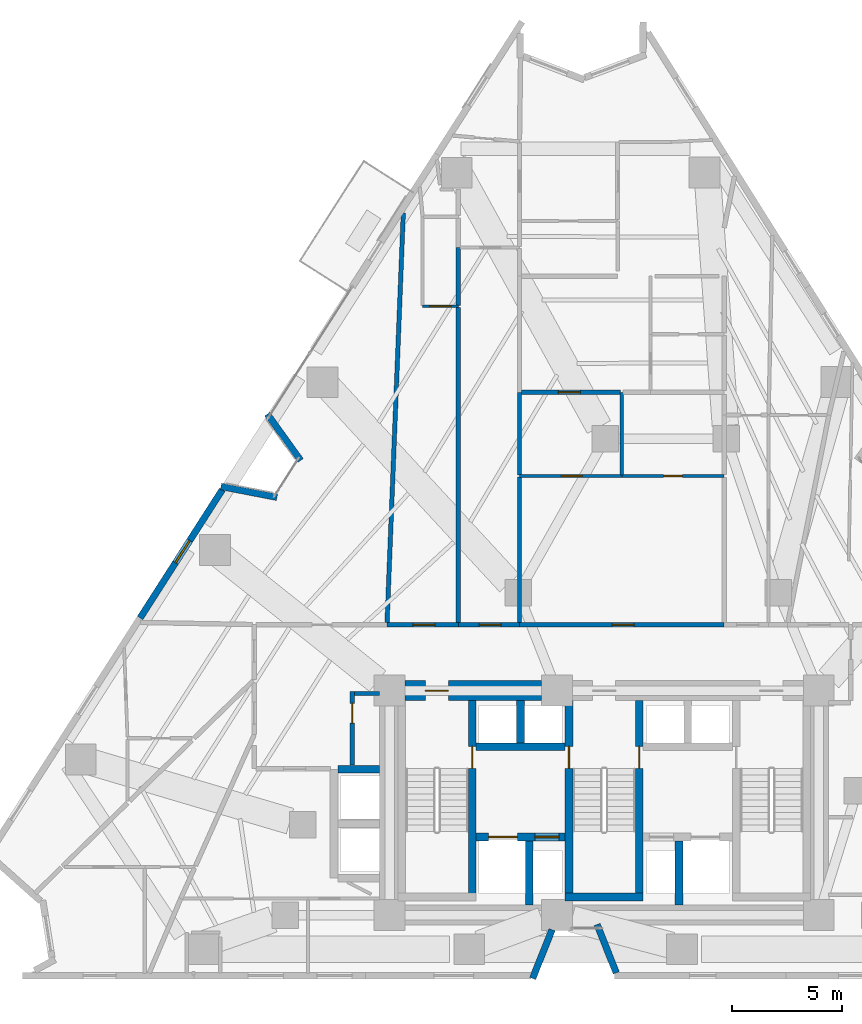
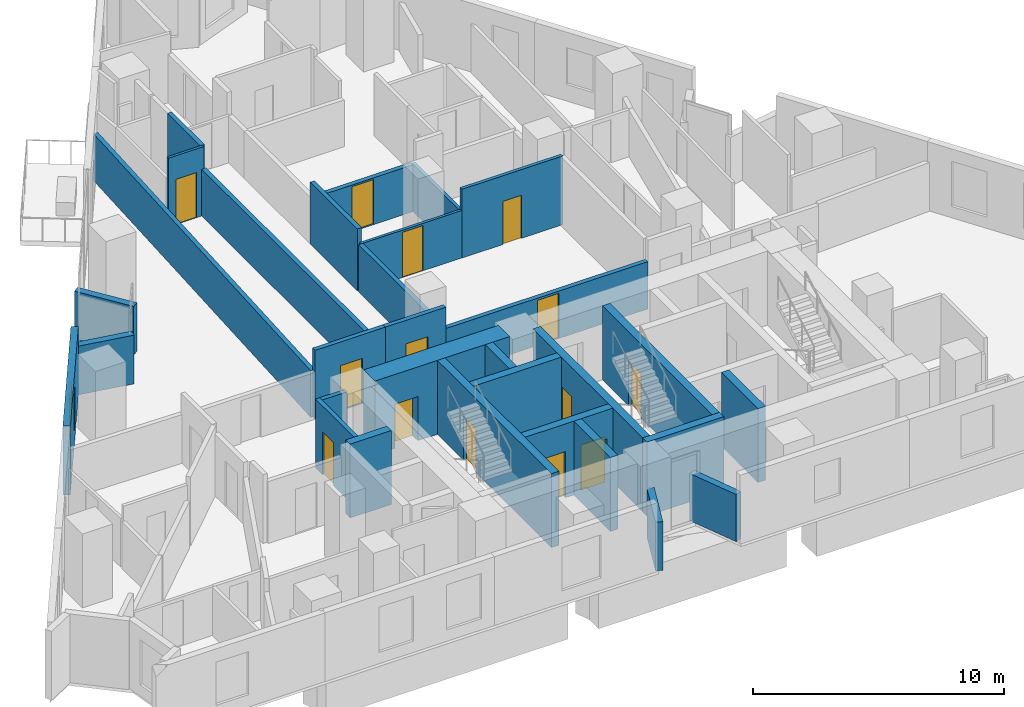
# One storey, part 8 of 13: 31 walls, 14 doors, 1 window, 15 openings.
"""IFC4 building model written with IfcOpenShell, lengths in metres."""

from ifc_helpers import new_model, si_unit, direction, frame, frame_2d, origin, place, context, subcontext, project, spatial, rectangle, extrude, material, layer, layer_set, type_object, element, fill, save


model = new_model("IFC4")

# Units and contexts
model_context = context("Model", 3, precision=1e-05, world=origin(), true_north=direction((0.0, 1.0)))
body_context = subcontext(model_context, "Body", "Model", "MODEL_VIEW")
ifc_project = project(units=[si_unit("LENGTHUNIT", "METRE"), si_unit("AREAUNIT", "SQUARE_METRE"), si_unit("VOLUMEUNIT", "CUBIC_METRE"), si_unit("PLANEANGLEUNIT", "RADIAN"), si_unit("MASSUNIT", "GRAM", prefix="KILO")], contexts=[model_context])

# Site, building, storey
site_placement = place(None, origin())
site = spatial("IfcSite", under=ifc_project, at=site_placement, CompositionType="ELEMENT")
building_placement = place(site_placement, origin())
building = spatial("IfcBuilding", under=site, at=building_placement, Name="Almagre Mirador Tower", CompositionType="ELEMENT")
storey_placement = place(building_placement, frame((0.0, 0.0, 53.39990234375)))
storey = spatial("IfcBuildingStorey", under=building, at=storey_placement, Name="L12", CompositionType="ELEMENT", Elevation=53.39990234375)

# Walls
ifc_material_1 = material(Name="Precast concrete C50/60", Category="concrete")
ifc_layer_1 = layer(ifc_material_1, 0.300048828125)
ifc_layer_set_1 = layer_set([ifc_layer_1], Name="Precast concrete C50/60")
wall_type_1 = type_object("IfcWallType", Name="WAL-EXT-300", PredefinedType="SOLIDWALL", material=ifc_layer_set_1)
wall_1_placement = place(storey_placement, frame((19.8876953125, 24.026611328125, 0.0), z_axis=(0.0, 0.0, 1.0), x_axis=(0.981746971615, -0.190191702567, 0.0)))
element("IfcWall", 1, at=wall_1_placement, inside=storey, type_object=wall_type_1, Name="L12 expressed almagre precast frame wall 01", PredefinedType="SOLIDWALL", context=body_context, shape_type="SweptSolid", body=[
    extrude(rectangle(XDim=2.593017578125, YDim=0.300048828125, at=frame_2d((1.29638671875, 0.0))), origin(), (0.0, 0.0, 1.0), 2.375),
])
wall_2_placement = place(storey_placement, frame((23.505615234375, 25.206298828125, 0.0), z_axis=(0.0, 0.0, 1.0), x_axis=(-0.58299973372, 0.812472344442, 0.0)))
element("IfcWall", 2, at=wall_2_placement, inside=storey, type_object=wall_type_1, Name="L12 expressed almagre precast frame wall 02", PredefinedType="SOLIDWALL", context=body_context, shape_type="SweptSolid", body=[
    extrude(rectangle(XDim=2.59375, YDim=0.300048828125, at=frame_2d((1.296875, 0.0))), origin(), (0.0, 0.0, 1.0), 2.375),
])
wall_3_placement = place(storey_placement, frame((37.85009765625, 1.92529296875, 0.0), z_axis=(0.0, 0.0, 1.0), x_axis=(-0.36946923074, 0.92924296475, 0.0)))
element("IfcWall", 3, at=wall_3_placement, inside=storey, type_object=wall_type_1, Name="L12 expressed almagre precast frame wall 24", PredefinedType="SOLIDWALL", context=body_context, shape_type="SweptSolid", body=[
    extrude(rectangle(XDim=2.366943359375, YDim=0.300048828125, at=frame_2d((1.18359375, 0.0))), origin(), (0.0, 0.0, 1.0), 2.300048828125),
])
wall_4_placement = place(storey_placement, frame((34.930419921875, 3.887939453125, 0.0), z_axis=(0.0, 0.0, 1.0), x_axis=(-0.369538313764, -0.9292154942, 0.0)))
element("IfcWall", 4, at=wall_4_placement, inside=storey, type_object=wall_type_1, Name="L12 expressed almagre precast frame wall 25", PredefinedType="SOLIDWALL", context=body_context, shape_type="SweptSolid", body=[
    extrude(rectangle(XDim=2.386962890625, YDim=0.300048828125, at=frame_2d((1.193359375, 0.0))), origin(), (0.0, 0.0, 1.0), 2.375),
])

# Wall, opening, window
wall_5_placement = place(storey_placement, frame((16.21484375, 18.053955078125, 0.0), z_axis=(0.0, 0.0, 1.0), x_axis=(0.539527015547, 0.841968288889, 0.0)))
wall_5 = element("IfcWall", 5, at=wall_5_placement, inside=storey, type_object=wall_type_1, Name="L12 expressed almagre precast frame wall 35", PredefinedType="SOLIDWALL", context=body_context, shape_type="SweptSolid", body=[
    extrude(rectangle(XDim=6.922119140625, YDim=0.300048828125, at=frame_2d((3.4609375, 0.0))), origin(), (0.0, 0.0, 1.0), 3.35009765625),
])
opening_1_placement = place(wall_5_placement, frame((2.97802734375, 0.0, 0.800048828125)))
opening_1 = element("IfcOpeningElement", 6, at=opening_1_placement, cuts=wall_5, Name="Opening WN-04", PredefinedType="OPENING", context=body_context, shape_type="SweptSolid", body=[
    extrude(rectangle(XDim=1.199951171875, YDim=1.800048828125, at=frame_2d((0.60009765625, 0.89990234375))), frame((0.0, 0.159902, 0.0), z_axis=(0.0, -1.0, 0.0), x_axis=(1.0, 0.0, 0.0)), (0.0, 0.0, 1.0), 0.320049),
])
ifc_material_2 = material(Name="Dark solar-control laminated hurricane glass", Category="glass")
window_type = type_object("IfcWindowType", Name="WIN-1200X1800", PartitioningType="SINGLE_PANEL", PredefinedType="WINDOW", material=ifc_material_2)
window_placement = place(opening_1_placement, origin())
window = element("IfcWindow", 7, at=window_placement, inside=storey, type_object=window_type, Name="L12 recessed hurricane window L12-RST-G", OverallHeight=1.800048828125, OverallWidth=1.199951171875, PartitioningType="SINGLE_PANEL", PredefinedType="WINDOW", context=body_context, shape_type="SweptSolid", body=[
    extrude(rectangle(XDim=1.199951171875, YDim=1.800048828125, at=frame_2d((0.60009765625, 0.89990234375))), frame((0.0, 0.030029296875, 0.0), z_axis=(0.0, -1.0, 0.0), x_axis=(1.0, 0.0, 0.0)), (0.0, 0.0, 1.0), 0.06005859375),
])
fill(opening_1, window)

# Wall, opening, door
ifc_material_3 = material(Name="Gypsum acoustic stud partition", Category="other")
ifc_layer_2 = layer(ifc_material_3, 0.125)
ifc_layer_set_2 = layer_set([ifc_layer_2], Name="Gypsum acoustic stud partition")
wall_type_2 = type_object("IfcWallType", Name="WAL-PRT-125-UTL", PredefinedType="PARTITIONING", material=ifc_layer_set_2)
wall_6_placement = place(storey_placement, frame((38.10009765625, 24.5, 0.0), z_axis=(0.0, 0.0, 1.0), x_axis=(-1.0, 0.0, 0.0)))
wall_6 = element("IfcWall", 8, at=wall_6_placement, inside=storey, type_object=wall_type_2, Name="L12 interior partition 053", PredefinedType="PARTITIONING", context=body_context, shape_type="SweptSolid", body=[
    extrude(rectangle(XDim=4.650146484375, YDim=0.125, at=frame_2d((2.3251953125, 0.0))), origin(), (0.0, 0.0, 1.0), 2.30908203125),
])
opening_2_placement = place(wall_6_placement, frame((1.791015625, 0.0, 0.0)))
opening_2 = element("IfcOpeningElement", 9, at=opening_2_placement, cuts=wall_6, Name="Opening UD-01", PredefinedType="OPENING", context=body_context, shape_type="SweptSolid", body=[
    extrude(rectangle(XDim=0.949951171875, YDim=2.199951171875, at=frame_2d((0.47509765625, 1.10009765625))), frame((0.0, 0.0725, 0.0), z_axis=(0.0, -1.0, 0.0), x_axis=(1.0, 0.0, 0.0)), (0.0, 0.0, 1.0), 0.145),
])
ifc_material_4 = material(Name="Solid American walnut timber", Category="wood")
door_type_1 = type_object("IfcDoorType", Name="DOR-UNR-950X2200", OperationType="NOTDEFINED", PredefinedType="DOOR", material=ifc_material_4)
door_1_placement = place(opening_2_placement, origin())
door_1 = element("IfcDoor", 10, at=door_1_placement, inside=storey, type_object=door_type_1, Name="DR-0393 L12 interior door L12-UH-ST to L12-UH-KT", OperationType="SINGLE_SWING_LEFT", OverallHeight=2.199951171875, OverallWidth=0.949951171875, PredefinedType="DOOR", context=body_context, shape_type="SweptSolid", body=[
    extrude(rectangle(XDim=0.949951171875, YDim=2.199951171875, at=frame_2d((0.47509765625, 1.10009765625))), frame((0.0, 0.02490234375, 0.0), z_axis=(0.0, -1.0, 0.0), x_axis=(1.0, 0.0, 0.0)), (0.0, 0.0, 1.0), 0.050048828125),
])
fill(opening_2, door_1)

wall_7_placement = place(storey_placement, frame((30.669921875, 32.2099609375, 0.0), z_axis=(0.0, 0.0, 1.0), x_axis=(-1.0, 0.0, 0.0)))
wall_7 = element("IfcWall", 11, at=wall_7_placement, inside=storey, type_object=wall_type_2, Name="L12 interior partition 071", PredefinedType="PARTITIONING", context=body_context, shape_type="SweptSolid", body=[
    extrude(rectangle(XDim=1.619873046875, YDim=0.125, at=frame_2d((0.81005859375, 0.0))), origin(), (0.0, 0.0, 1.0), 3.35009765625),
])
opening_3_placement = place(wall_7_placement, frame((0.3349609375, 0.0, 0.0)))
opening_3 = element("IfcOpeningElement", 12, at=opening_3_placement, cuts=wall_7, Name="Opening UD-01", PredefinedType="OPENING", context=body_context, shape_type="SweptSolid", body=[
    extrude(rectangle(XDim=0.949951171875, YDim=2.199951171875, at=frame_2d((0.47509765625, 1.10009765625))), frame((0.0, 0.0725, 0.0), z_axis=(0.0, -1.0, 0.0), x_axis=(1.0, 0.0, 0.0)), (0.0, 0.0, 1.0), 0.145),
])
door_2_placement = place(opening_3_placement, origin())
door_2 = element("IfcDoor", 13, at=door_2_placement, inside=storey, type_object=door_type_1, Name="DR-0398 L12 interior door L12-UK-ST to L12-UK-KT", OperationType="SINGLE_SWING_RIGHT", OverallHeight=2.199951171875, OverallWidth=0.949951171875, PredefinedType="DOOR", context=body_context, shape_type="SweptSolid", body=[
    extrude(rectangle(XDim=0.949951171875, YDim=2.199951171875, at=frame_2d((0.47509765625, 1.10009765625))), frame((0.0, 0.02490234375, 0.0), z_axis=(0.0, -1.0, 0.0), x_axis=(1.0, 0.0, 0.0)), (0.0, 0.0, 1.0), 0.050048828125),
])
fill(opening_3, door_2)

ifc_material_5 = material(Name="Gypsum acoustic stud partition", Category="other")
ifc_layer_3 = layer(ifc_material_5, 0.14990234375)
ifc_layer_set_3 = layer_set([ifc_layer_3], Name="Gypsum acoustic stud partition")
wall_type_3 = type_object("IfcWallType", Name="WAL-PRT-150-STD", PredefinedType="PARTITIONING", material=ifc_layer_set_3)
wall_8_placement = place(storey_placement, frame((42.75, 24.5, 0.0), z_axis=(0.0, 0.0, 1.0), x_axis=(-1.0, 0.0, 0.0)))
wall_8 = element("IfcWall", 14, at=wall_8_placement, inside=storey, type_object=wall_type_3, Name="L12 interior partition 054", PredefinedType="PARTITIONING", context=body_context, shape_type="SweptSolid", body=[
    extrude(rectangle(XDim=4.64990234375, YDim=0.14990234375, at=frame_2d((2.324951171875, 0.0))), origin(), (0.0, 0.0, 1.0), 3.35009765625),
])
opening_4_placement = place(wall_8_placement, frame((1.89990234375, 0.0, 0.0)))
opening_4 = element("IfcOpeningElement", 15, at=opening_4_placement, cuts=wall_8, Name="Opening UD-04", PredefinedType="OPENING", context=body_context, shape_type="SweptSolid", body=[
    extrude(rectangle(XDim=0.85009765625, YDim=2.10009765625, at=frame_2d((0.425048828125, 1.050048828125))), frame((0.0, 0.084951, 0.0), z_axis=(0.0, -1.0, 0.0), x_axis=(1.0, 0.0, 0.0)), (0.0, 0.0, 1.0), 0.169902),
])
ifc_material_6 = material(Name="Moisture-resistant oak timber", Category="wood")
door_type_2 = type_object("IfcDoorType", Name="DOR-UNR-850X2100", OperationType="NOTDEFINED", PredefinedType="DOOR", material=ifc_material_6)
door_3_placement = place(opening_4_placement, origin())
door_3 = element("IfcDoor", 16, at=door_3_placement, inside=storey, type_object=door_type_2, Name="DR-0394 L12 interior door L12-UH-ST to L12-UH-BT", OperationType="SINGLE_SWING_RIGHT", OverallHeight=2.10009765625, OverallWidth=0.85009765625, PredefinedType="DOOR", context=body_context, shape_type="SweptSolid", body=[
    extrude(rectangle(XDim=0.85009765625, YDim=2.10009765625, at=frame_2d((0.425048828125, 1.050048828125))), frame((0.0, 0.02490234375, 0.0), z_axis=(0.0, -1.0, 0.0), x_axis=(1.0, 0.0, 0.0)), (0.0, 0.0, 1.0), 0.050048828125),
])
fill(opening_4, door_3)

# Wall
wall_9_placement = place(storey_placement, frame((38.10009765625, 24.547607421875, 0.0), z_axis=(0.0, 0.0, 1.0), x_axis=(0.0, 1.0, 0.0)))
element("IfcWall", 17, at=wall_9_placement, inside=storey, type_object=wall_type_3, Name="L12 interior partition 057", PredefinedType="PARTITIONING", context=body_context, shape_type="SweptSolid", body=[
    extrude(rectangle(XDim=3.75244140625, YDim=0.14990234375, at=frame_2d((1.876220703125, 0.0))), origin(), (0.0, 0.0, 1.0), 2.30908203125),
])

# Wall, opening, door
ifc_material_7 = material(Name="Gypsum acoustic stud partition", Category="other")
ifc_layer_4 = layer(ifc_material_7, 0.199951171875)
ifc_layer_set_4 = layer_set([ifc_layer_4], Name="Gypsum acoustic stud partition")
wall_type_4 = type_object("IfcWallType", Name="WAL-PRT-200-EI60", PredefinedType="PARTITIONING", material=ifc_layer_set_4)
wall_10_placement = place(storey_placement, frame((25.85009765625, 11.3701171875, 0.0), z_axis=(0.0, 0.0, 1.0), x_axis=(0.0, 1.0, 0.0)))
wall_10 = element("IfcWall", 18, at=wall_10_placement, inside=storey, type_object=wall_type_4, Name="L12 core ancillary west wall", PredefinedType="PARTITIONING", context=body_context, shape_type="SweptSolid", body=[
    extrude(rectangle(XDim=3.33984375, YDim=0.199951171875, at=frame_2d((1.669921875, 0.0))), origin(), (0.0, 0.0, 1.0), 3.35009765625),
])
opening_5_placement = place(wall_10_placement, frame((1.89990234375, 0.0, 0.0)))
opening_5 = element("IfcOpeningElement", 19, at=opening_5_placement, cuts=wall_10, Name="Opening ID-03", PredefinedType="OPENING", context=body_context, shape_type="SweptSolid", body=[
    extrude(rectangle(XDim=0.89990234375, YDim=2.10009765625, at=frame_2d((0.449951171875, 1.050048828125))), frame((0.0, 0.110098, 0.0), z_axis=(0.0, -1.0, 0.0), x_axis=(1.0, 0.0, 0.0)), (0.0, 0.0, 1.0), 0.219951),
])
ifc_material_8 = material(Name="Fire-rated hollow steel", Category="steel")
door_type_3 = type_object("IfcDoorType", Name="DOR-FD60-900X2100", OperationType="NOTDEFINED", PredefinedType="DOOR", material=ifc_material_8)
door_4_placement = place(opening_5_placement, origin())
door_4 = element("IfcDoor", 20, at=door_4_placement, inside=storey, type_object=door_type_3, Name="DR-0376 L12 core ancillary corridor door", OperationType="SINGLE_SWING_RIGHT", OverallHeight=2.10009765625, OverallWidth=0.89990234375, PredefinedType="DOOR", context=body_context, shape_type="SweptSolid", body=[
    extrude(rectangle(XDim=0.89990234375, YDim=2.10009765625, at=frame_2d((0.449951171875, 1.050048828125))), frame((0.0, 0.02490234375, 0.0), z_axis=(0.0, -1.0, 0.0), x_axis=(1.0, 0.0, 0.0)), (0.0, 0.0, 1.0), 0.050048828125),
])
fill(opening_5, door_4)

# Wall
wall_11_placement = place(storey_placement, frame((25.955078125, 14.6201171875, 0.0), z_axis=(0.0, 0.0, 1.0), x_axis=(1.0, 0.0, 0.0)))
element("IfcWall", 21, at=wall_11_placement, inside=storey, type_object=wall_type_4, Name="L12 core ancillary north wall", PredefinedType="PARTITIONING", context=body_context, shape_type="SweptSolid", body=[
    extrude(rectangle(XDim=1.1298828125, YDim=0.199951171875, at=frame_2d((0.56494140625, 0.0))), origin(), (0.0, 0.0, 1.0), 3.35009765625),
])

# Wall, opening, door
wall_12_placement = place(storey_placement, frame((42.75, 17.75, 0.0), z_axis=(0.0, 0.0, 1.0), x_axis=(-1.0, 0.0, 0.0)))
wall_12 = element("IfcWall", 22, at=wall_12_placement, inside=storey, type_object=wall_type_4, Name="L12 interior partition 009", PredefinedType="PARTITIONING", context=body_context, shape_type="SweptSolid", body=[
    extrude(rectangle(XDim=9.300048828125, YDim=0.199951171875, at=frame_2d((4.64990234375, 0.0))), origin(), (0.0, 0.0, 1.0), 2.30908203125),
])
opening_6_placement = place(wall_12_placement, frame((4.090087890625, 0.0, 0.0)))
opening_6 = element("IfcOpeningElement", 23, at=opening_6_placement, cuts=wall_12, Name="Opening ID-01", PredefinedType="OPENING", context=body_context, shape_type="SweptSolid", body=[
    extrude(rectangle(XDim=1.0, YDim=2.199951171875, at=frame_2d((0.5, 1.10009765625))), frame((0.0, 0.110098, 0.0), z_axis=(0.0, -1.0, 0.0), x_axis=(1.0, 0.0, 0.0)), (0.0, 0.0, 1.0), 0.219951),
])
ifc_material_9 = material(Name="Fire-rated walnut timber", Category="wood")
door_type_4 = type_object("IfcDoorType", Name="DOR-FD60-1000X2200", OperationType="NOTDEFINED", PredefinedType="DOOR", material=ifc_material_9)
door_5_placement = place(opening_6_placement, origin())
door_5 = element("IfcDoor", 24, at=door_5_placement, inside=storey, type_object=door_type_4, Name="DR-0392 L12 interior door L12-RCOR to L12-UH-ST", OperationType="SINGLE_SWING_RIGHT", OverallHeight=2.199951171875, OverallWidth=1.0, PredefinedType="DOOR", context=body_context, shape_type="SweptSolid", body=[
    extrude(rectangle(XDim=1.0, YDim=2.199951171875, at=frame_2d((0.5, 1.10009765625))), frame((0.0, 0.02490234375, 0.0), z_axis=(0.0, -1.0, 0.0), x_axis=(1.0, 0.0, 0.0)), (0.0, 0.0, 1.0), 0.050048828125),
])
fill(opening_6, door_5)

wall_13_placement = place(storey_placement, frame((30.669921875, 17.75, 0.0), z_axis=(0.0, 0.0, 1.0), x_axis=(-1.0, 0.0, 0.0)))
wall_13 = element("IfcWall", 25, at=wall_13_placement, inside=storey, type_object=wall_type_4, Name="L12 interior partition 011", PredefinedType="PARTITIONING", context=body_context, shape_type="SweptSolid", body=[
    extrude(rectangle(XDim=3.239990234375, YDim=0.199951171875, at=frame_2d((1.6201171875, 0.0))), origin(), (0.0, 0.0, 1.0), 3.35009765625),
])
opening_7_placement = place(wall_13_placement, frame((1.0625, 0.0, 0.0)))
opening_7 = element("IfcOpeningElement", 26, at=opening_7_placement, cuts=wall_13, Name="Opening ID-01", PredefinedType="OPENING", context=body_context, shape_type="SweptSolid", body=[
    extrude(rectangle(XDim=1.0, YDim=2.199951171875, at=frame_2d((0.5, 1.10009765625))), frame((0.0, 0.110098, 0.0), z_axis=(0.0, -1.0, 0.0), x_axis=(1.0, 0.0, 0.0)), (0.0, 0.0, 1.0), 0.219951),
])
door_6_placement = place(opening_7_placement, origin())
door_6 = element("IfcDoor", 27, at=door_6_placement, inside=storey, type_object=door_type_4, Name="DR-0397 L12 interior door L12-RCOR to L12-UK-ST", OperationType="SINGLE_SWING_RIGHT", OverallHeight=2.199951171875, OverallWidth=1.0, PredefinedType="DOOR", context=body_context, shape_type="SweptSolid", body=[
    extrude(rectangle(XDim=1.0, YDim=2.199951171875, at=frame_2d((0.5, 1.10009765625))), frame((0.0, 0.02490234375, 0.0), z_axis=(0.0, -1.0, 0.0), x_axis=(1.0, 0.0, 0.0)), (0.0, 0.0, 1.0), 0.050048828125),
])
fill(opening_7, door_6)

wall_14_placement = place(storey_placement, frame((33.449951171875, 17.75, 0.0), z_axis=(0.0, 0.0, 1.0), x_axis=(-1.0, 0.0, 0.0)))
wall_14 = element("IfcWall", 28, at=wall_14_placement, inside=storey, type_object=wall_type_4, Name="L12 interior partition 012", PredefinedType="PARTITIONING", context=body_context, shape_type="SweptSolid", body=[
    extrude(rectangle(XDim=2.780029296875, YDim=0.199951171875, at=frame_2d((1.39013671875, 0.0))), origin(), (0.0, 0.0, 1.0), 3.35009765625),
])
opening_8_placement = place(wall_14_placement, frame((0.832275390625, 0.0, 0.0)))
opening_8 = element("IfcOpeningElement", 29, at=opening_8_placement, cuts=wall_14, Name="Opening ID-01", PredefinedType="OPENING", context=body_context, shape_type="SweptSolid", body=[
    extrude(rectangle(XDim=1.0, YDim=2.199951171875, at=frame_2d((0.5, 1.10009765625))), frame((0.0, 0.110098, 0.0), z_axis=(0.0, -1.0, 0.0), x_axis=(1.0, 0.0, 0.0)), (0.0, 0.0, 1.0), 0.219951),
])
door_7_placement = place(opening_8_placement, origin())
door_7 = element("IfcDoor", 30, at=door_7_placement, inside=storey, type_object=door_type_4, Name="DR-0399 L12 interior door L12-RCOR to L12-UL-ST", OperationType="SINGLE_SWING_RIGHT", OverallHeight=2.199951171875, OverallWidth=1.0, PredefinedType="DOOR", context=body_context, shape_type="SweptSolid", body=[
    extrude(rectangle(XDim=1.0, YDim=2.199951171875, at=frame_2d((0.5, 1.10009765625))), frame((0.0, 0.02490234375, 0.0), z_axis=(0.0, -1.0, 0.0), x_axis=(1.0, 0.0, 0.0)), (0.0, 0.0, 1.0), 0.050048828125),
])
fill(opening_8, door_7)

# Walls
wall_15_placement = place(storey_placement, frame((27.43359375, 17.8349609375, 0.0), z_axis=(0.0, 0.0, 1.0), x_axis=(0.039650813079, 0.999213597296, 0.0)))
element("IfcWall", 31, at=wall_15_placement, inside=storey, type_object=wall_type_4, Name="L12 interior partition 052", PredefinedType="PARTITIONING", context=body_context, shape_type="SweptSolid", body=[
    extrude(rectangle(XDim=18.625732421875, YDim=0.199951171875, at=frame_2d((9.31298828125, 0.0))), origin(), (0.0, 0.0, 1.0), 2.279052734375),
])
wall_16_placement = place(storey_placement, frame((33.449951171875, 24.452392578125, 0.0), z_axis=(0.0, 0.0, 1.0), x_axis=(0.0, -1.0, 0.0)))
element("IfcWall", 32, at=wall_16_placement, inside=storey, type_object=wall_type_4, Name="L12 interior partition 055", PredefinedType="PARTITIONING", context=body_context, shape_type="SweptSolid", body=[
    extrude(rectangle(XDim=6.617431640625, YDim=0.199951171875, at=frame_2d((3.30859375, 0.0))), origin(), (0.0, 0.0, 1.0), 2.30908203125),
])
wall_17_placement = place(storey_placement, frame((33.449951171875, 28.300048828125, 0.0), z_axis=(0.0, 0.0, 1.0), x_axis=(0.0, -1.0, 0.0)))
element("IfcWall", 33, at=wall_17_placement, inside=storey, type_object=wall_type_4, Name="L12 interior partition 058", PredefinedType="PARTITIONING", context=body_context, shape_type="SweptSolid", body=[
    extrude(rectangle(XDim=3.75244140625, YDim=0.199951171875, at=frame_2d((1.876220703125, 0.0))), origin(), (0.0, 0.0, 1.0), 3.010009765625),
])

# Wall, opening, door
wall_18_placement = place(storey_placement, frame((38.0400390625, 28.300048828125, 0.0), z_axis=(0.0, 0.0, 1.0), x_axis=(-1.0, 0.0, 0.0)))
wall_18 = element("IfcWall", 34, at=wall_18_placement, inside=storey, type_object=wall_type_4, Name="L12 interior partition 059", PredefinedType="PARTITIONING", context=body_context, shape_type="SweptSolid", body=[
    extrude(rectangle(XDim=4.505126953125, YDim=0.199951171875, at=frame_2d((2.25244140625, 0.0))), origin(), (0.0, 0.0, 1.0), 2.279052734375),
])
opening_9_placement = place(wall_18_placement, frame((1.822998046875, 0.0, 0.0)))
opening_9 = element("IfcOpeningElement", 35, at=opening_9_placement, cuts=wall_18, Name="Opening ID-01", PredefinedType="OPENING", context=body_context, shape_type="SweptSolid", body=[
    extrude(rectangle(XDim=1.0, YDim=2.199951171875, at=frame_2d((0.5, 1.10009765625))), frame((0.0, 0.110098, 0.0), z_axis=(0.0, -1.0, 0.0), x_axis=(1.0, 0.0, 0.0)), (0.0, 0.0, 1.0), 0.219951),
])
door_8_placement = place(opening_9_placement, origin())
door_8 = element("IfcDoor", 36, at=door_8_placement, inside=storey, type_object=door_type_4, Name="DR-0410 L12 interior door L12-UH-KT to L12-UM-ST", OperationType="SINGLE_SWING_RIGHT", OverallHeight=2.199951171875, OverallWidth=1.0, PredefinedType="DOOR", context=body_context, shape_type="SweptSolid", body=[
    extrude(rectangle(XDim=1.0, YDim=2.199951171875, at=frame_2d((0.5, 1.10009765625))), frame((0.0, 0.02490234375, 0.0), z_axis=(0.0, -1.0, 0.0), x_axis=(1.0, 0.0, 0.0)), (0.0, 0.0, 1.0), 0.050048828125),
])
fill(opening_9, door_8)

# Walls
wall_19_placement = place(storey_placement, frame((30.669921875, 17.8349609375, 0.0), z_axis=(0.0, 0.0, 1.0), x_axis=(0.0, 1.0, 0.0)))
element("IfcWall", 37, at=wall_19_placement, inside=storey, type_object=wall_type_4, Name="L12 interior partition 074", PredefinedType="PARTITIONING", context=body_context, shape_type="SweptSolid", body=[
    extrude(rectangle(XDim=14.32763671875, YDim=0.199951171875, at=frame_2d((7.163818359375, 0.0))), origin(), (0.0, 0.0, 1.0), 2.279052734375),
])
wall_20_placement = place(storey_placement, frame((30.669921875, 32.257568359375, 0.0), z_axis=(0.0, 0.0, 1.0), x_axis=(0.0, 1.0, 0.0)))
element("IfcWall", 38, at=wall_20_placement, inside=storey, type_object=wall_type_4, Name="L12 interior partition 076", PredefinedType="PARTITIONING", context=body_context, shape_type="SweptSolid", body=[
    extrude(rectangle(XDim=2.622314453125, YDim=0.199951171875, at=frame_2d((1.31103515625, 0.0))), origin(), (0.0, 0.0, 1.0), 3.35009765625),
])

# Wall, opening, door
ifc_material_10 = material(Name="Concrete C60/75", Category="concrete")
ifc_layer_5 = layer(ifc_material_10, 0.35009765625)
ifc_layer_set_5 = layer_set([ifc_layer_5], Name="Concrete C60/75")
wall_type_5 = type_object("IfcWallType", Name="WAL-SHF-350", PredefinedType="SOLIDWALL", material=ifc_layer_set_5)
wall_21_placement = place(storey_placement, frame((31.300048828125, 5.199951171875, 0.0), z_axis=(0.0, 0.0, 1.0), x_axis=(0.0, 1.0, 0.0)))
wall_21 = element("IfcWall", 39, at=wall_21_placement, inside=storey, type_object=wall_type_5, Name="L12 shaft wall ST1-E", PredefinedType="SOLIDWALL", context=body_context, shape_type="SweptSolid", body=[
    extrude(rectangle(XDim=9.10009765625, YDim=0.35009765625, at=frame_2d((4.550048828125, 0.0))), origin(), (0.0, 0.0, 1.0), 3.60009765625),
])
opening_10_placement = place(wall_21_placement, frame((6.02001953125, 0.0, 0.0)))
opening_10 = element("IfcOpeningElement", 40, at=opening_10_placement, cuts=wall_21, Name="Opening FD-01", PredefinedType="OPENING", context=body_context, shape_type="SweptSolid", body=[
    extrude(rectangle(XDim=1.0, YDim=2.14990234375, at=frame_2d((0.5, 1.074951171875))), frame((0.0, 0.185049, 0.0), z_axis=(0.0, -1.0, 0.0), x_axis=(1.0, 0.0, 0.0)), (0.0, 0.0, 1.0), 0.370098),
])
ifc_material_11 = material(Name="Fire-rated hollow steel", Category="steel")
door_type_5 = type_object("IfcDoorType", Name="DOR-FFL-1000X2150", OperationType="NOTDEFINED", PredefinedType="DOOR", material=ifc_material_11)
door_9_placement = place(opening_10_placement, origin())
door_9 = element("IfcDoor", 41, at=door_9_placement, inside=storey, type_object=door_type_5, Name="DR-0377 L12 FFL1-ST1 smokeproof door", OperationType="SINGLE_SWING_RIGHT", OverallHeight=2.14990234375, OverallWidth=1.0, PredefinedType="DOOR", context=body_context, shape_type="SweptSolid", body=[
    extrude(rectangle(XDim=1.0, YDim=2.14990234375, at=frame_2d((0.5, 1.074951171875))), frame((0.0, 0.02490234375, 0.0), z_axis=(0.0, -1.0, 0.0), x_axis=(1.0, 0.0, 0.0)), (0.0, 0.0, 1.0), 0.050048828125),
])
fill(opening_10, door_9)

wall_22_placement = place(storey_placement, frame((35.699951171875, 5.199951171875, 0.0), z_axis=(0.0, 0.0, 1.0), x_axis=(0.0, 1.0, 0.0)))
wall_22 = element("IfcWall", 42, at=wall_22_placement, inside=storey, type_object=wall_type_5, Name="L12 shaft wall ST2-W", PredefinedType="SOLIDWALL", context=body_context, shape_type="SweptSolid", body=[
    extrude(rectangle(XDim=9.10009765625, YDim=0.35009765625, at=frame_2d((4.550048828125, 0.0))), origin(), (0.0, 0.0, 1.0), 3.60009765625),
])
opening_11_placement = place(wall_22_placement, frame((6.02001953125, 0.0, 0.0)))
opening_11 = element("IfcOpeningElement", 43, at=opening_11_placement, cuts=wall_22, Name="Opening FD-01", PredefinedType="OPENING", context=body_context, shape_type="SweptSolid", body=[
    extrude(rectangle(XDim=1.0, YDim=2.14990234375, at=frame_2d((0.5, 1.074951171875))), frame((0.0, 0.185049, 0.0), z_axis=(0.0, -1.0, 0.0), x_axis=(1.0, 0.0, 0.0)), (0.0, 0.0, 1.0), 0.370098),
])
door_10_placement = place(opening_11_placement, origin())
door_10 = element("IfcDoor", 44, at=door_10_placement, inside=storey, type_object=door_type_5, Name="DR-0378 L12 FFL1-ST2 smokeproof door", OperationType="SINGLE_SWING_LEFT", OverallHeight=2.14990234375, OverallWidth=1.0, PredefinedType="DOOR", context=body_context, shape_type="SweptSolid", body=[
    extrude(rectangle(XDim=1.0, YDim=2.14990234375, at=frame_2d((0.5, 1.074951171875))), frame((0.0, 0.02490234375, 0.0), z_axis=(0.0, -1.0, 0.0), x_axis=(1.0, 0.0, 0.0)), (0.0, 0.0, 1.0), 0.050048828125),
])
fill(opening_11, door_10)

wall_23_placement = place(storey_placement, frame((38.89990234375, 5.199951171875, 0.0), z_axis=(0.0, 0.0, 1.0), x_axis=(0.0, 1.0, 0.0)))
wall_23 = element("IfcWall", 45, at=wall_23_placement, inside=storey, type_object=wall_type_5, Name="L12 shaft wall ST2-E", PredefinedType="SOLIDWALL", context=body_context, shape_type="SweptSolid", body=[
    extrude(rectangle(XDim=9.10009765625, YDim=0.35009765625, at=frame_2d((4.550048828125, 0.0))), origin(), (0.0, 0.0, 1.0), 3.60009765625),
])
opening_12_placement = place(wall_23_placement, frame((6.02001953125, 0.0, 0.0)))
opening_12 = element("IfcOpeningElement", 46, at=opening_12_placement, cuts=wall_23, Name="Opening FD-01", PredefinedType="OPENING", context=body_context, shape_type="SweptSolid", body=[
    extrude(rectangle(XDim=1.0, YDim=2.14990234375, at=frame_2d((0.5, 1.074951171875))), frame((0.0, 0.185049, 0.0), z_axis=(0.0, -1.0, 0.0), x_axis=(1.0, 0.0, 0.0)), (0.0, 0.0, 1.0), 0.370098),
])
door_11_placement = place(opening_12_placement, origin())
door_11 = element("IfcDoor", 47, at=door_11_placement, inside=storey, type_object=door_type_5, Name="DR-0379 L12 FFL2-ST2 smokeproof door", OperationType="SINGLE_SWING_RIGHT", OverallHeight=2.14990234375, OverallWidth=1.0, PredefinedType="DOOR", context=body_context, shape_type="SweptSolid", body=[
    extrude(rectangle(XDim=1.0, YDim=2.14990234375, at=frame_2d((0.5, 1.074951171875))), frame((0.0, 0.02490234375, 0.0), z_axis=(0.0, -1.0, 0.0), x_axis=(1.0, 0.0, 0.0)), (0.0, 0.0, 1.0), 0.050048828125),
])
fill(opening_12, door_11)

# Wall
wall_24_placement = place(storey_placement, frame((35.52490234375, 5.375, 0.0), z_axis=(0.0, 0.0, 1.0), x_axis=(1.0, 0.0, 0.0)))
element("IfcWall", 48, at=wall_24_placement, inside=storey, type_object=wall_type_5, Name="L12 shaft wall ST2-S", PredefinedType="SOLIDWALL", context=body_context, shape_type="SweptSolid", body=[
    extrude(rectangle(XDim=3.550048828125, YDim=0.35009765625, at=frame_2d((1.77490234375, 0.0))), origin(), (0.0, 0.0, 1.0), 3.60009765625),
])

# Wall, openings, doors
wall_25_placement = place(storey_placement, frame((31.47509765625, 8.10009765625, 0.0), z_axis=(0.0, 0.0, 1.0), x_axis=(1.0, 0.0, 0.0)))
wall_25 = element("IfcWall", 49, at=wall_25_placement, inside=storey, type_object=wall_type_5, Name="L12 shaft wall FSAE1-N", PredefinedType="SOLIDWALL", context=body_context, shape_type="SweptSolid", body=[
    extrude(rectangle(XDim=4.0498046875, YDim=0.35009765625, at=frame_2d((2.02490234375, 0.0))), origin(), (0.0, 0.0, 1.0), 3.60009765625),
])
opening_13_placement = place(wall_25_placement, frame((0.574951171875, 0.0, 0.0)))
opening_13 = element("IfcOpeningElement", 50, at=opening_13_placement, cuts=wall_25, Name="Opening LD-03", PredefinedType="OPENING", context=body_context, shape_type="SweptSolid", body=[
    extrude(rectangle(XDim=1.300048828125, YDim=2.25, at=frame_2d((0.64990234375, 1.125))), frame((0.0, 0.185049, 0.0), z_axis=(0.0, -1.0, 0.0), x_axis=(1.0, 0.0, 0.0)), (0.0, 0.0, 1.0), 0.370098),
])
opening_14_placement = place(wall_25_placement, frame((2.675048828125, 0.0, 0.0)))
opening_14 = element("IfcOpeningElement", 51, at=opening_14_placement, cuts=wall_25, Name="Opening LD-01", PredefinedType="OPENING", context=body_context, shape_type="SweptSolid", body=[
    extrude(rectangle(XDim=1.10009765625, YDim=2.199951171875, at=frame_2d((0.550048828125, 1.10009765625))), frame((0.0, 0.185049, 0.0), z_axis=(0.0, -1.0, 0.0), x_axis=(1.0, 0.0, 0.0)), (0.0, 0.0, 1.0), 0.370098),
])
ifc_material_12 = material(Name="Hollow stainless steel", Category="steel")
door_type_6 = type_object("IfcDoorType", Name="DOR-LD-1100X2200", OperationType="DOUBLE_DOOR_SLIDING", PredefinedType="DOOR", material=ifc_material_12)
door_12_placement = place(opening_14_placement, origin())
door_12 = element("IfcDoor", 52, at=door_12_placement, inside=storey, type_object=door_type_6, Name="DR-0415 L12 PL-L1 lift landing door", OperationType="DOUBLE_DOOR_SLIDING", OverallHeight=2.199951171875, OverallWidth=1.10009765625, PredefinedType="DOOR", context=body_context, shape_type="SweptSolid", body=[
    extrude(rectangle(XDim=1.10009765625, YDim=2.199951171875, at=frame_2d((0.550048828125, 1.10009765625))), frame((0.0, 0.02490234375, 0.0), z_axis=(0.0, -1.0, 0.0), x_axis=(1.0, 0.0, 0.0)), (0.0, 0.0, 1.0), 0.050048828125),
])
fill(opening_14, door_12)
ifc_material_13 = material(Name="Hollow stainless steel", Category="steel")
door_type_7 = type_object("IfcDoorType", Name="DOR-LD-1300X2250", OperationType="DOUBLE_DOOR_SLIDING", PredefinedType="DOOR", material=ifc_material_13)
door_13_placement = place(opening_13_placement, origin())
door_13 = element("IfcDoor", 53, at=door_13_placement, inside=storey, type_object=door_type_7, Name="DR-0413 L12 FSAE-1 lift landing door", OperationType="DOUBLE_DOOR_SLIDING", OverallHeight=2.25, OverallWidth=1.300048828125, PredefinedType="DOOR", context=body_context, shape_type="SweptSolid", body=[
    extrude(rectangle(XDim=1.300048828125, YDim=2.25, at=frame_2d((0.64990234375, 1.125))), frame((0.0, 0.02490234375, 0.0), z_axis=(0.0, -1.0, 0.0), x_axis=(1.0, 0.0, 0.0)), (0.0, 0.0, 1.0), 0.050048828125),
])
fill(opening_13, door_13)

# Walls
for number, where, z_axis, x_axis, name in (
    (54, (33.89990234375, 5.0, 0.0), (0.0, 0.0, 1.0), (0.0, 1.0, 0.0), "L12 shaft wall FSAE1-E"),
    (55, (40.699951171875, 5.0, 0.0), (0.0, 0.0, 1.0), (0.0, 1.0, 0.0), "L12 shaft wall FSAE2-W"),
):
    element("IfcWall", number, at=place(storey_placement, frame(where, z_axis=z_axis, x_axis=x_axis)), inside=storey, type_object=wall_type_5, Name=name, PredefinedType="SOLIDWALL", context=body_context, shape_type="SweptSolid", body=[
        extrude(rectangle(XDim=2.925048828125, YDim=0.35009765625, at=frame_2d((1.46240234375, 0.0))), origin(), (0.0, 0.0, 1.0), 3.60009765625),
    ])
wall_26_placement = place(storey_placement, frame((31.47509765625, 12.199951171875, 0.0), z_axis=(0.0, 0.0, 1.0), x_axis=(1.0, 0.0, 0.0)))
element("IfcWall", 56, at=wall_26_placement, inside=storey, type_object=wall_type_5, Name="L12 shaft wall PLM-S", PredefinedType="SOLIDWALL", context=body_context, shape_type="SweptSolid", body=[
    extrude(rectangle(XDim=4.0498046875, YDim=0.35009765625, at=frame_2d((2.02490234375, 0.0))), origin(), (0.0, 0.0, 1.0), 3.60009765625),
])
wall_27_placement = place(storey_placement, frame((33.5, 12.375, 0.0), z_axis=(0.0, 0.0, 1.0), x_axis=(0.0, 1.0, 0.0)))
element("IfcWall", 57, at=wall_27_placement, inside=storey, type_object=wall_type_5, Name="L12 shaft wall PLM-M", PredefinedType="SOLIDWALL", context=body_context, shape_type="SweptSolid", body=[
    extrude(rectangle(XDim=1.925048828125, YDim=0.35009765625, at=frame_2d((0.96240234375, 0.0))), origin(), (0.0, 0.0, 1.0), 3.60009765625),
])
wall_28_placement = place(storey_placement, frame((25.199951171875, 11.175048828125, 0.0), z_axis=(0.0, 0.0, 1.0), x_axis=(1.0, 0.0, 0.0)))
element("IfcWall", 58, at=wall_28_placement, inside=storey, type_object=wall_type_5, Name="L12 shaft wall OL-N", PredefinedType="SOLIDWALL", context=body_context, shape_type="SweptSolid", body=[
    extrude(rectangle(XDim=1.900146484375, YDim=0.35009765625, at=frame_2d((0.9501953125, 0.0))), origin(), (0.0, 0.0, 1.0), 3.60009765625),
])

# Wall, opening, door
ifc_material_14 = material(Name="Concrete C70/85", Category="concrete")
ifc_layer_6 = layer(ifc_material_14, 0.89990234375)
ifc_layer_set_6 = layer_set([ifc_layer_6], Name="Concrete C70/85")
wall_type_6 = type_object("IfcWallType", Name="WAL-SHR-900", PredefinedType="SHEAR", material=ifc_layer_set_6)
wall_29_placement = place(storey_placement, frame((28.25, 14.75, 0.0), z_axis=(0.0, 0.0, 1.0), x_axis=(1.0, 0.0, 0.0)))
wall_29 = element("IfcWall", 59, at=wall_29_placement, inside=storey, type_object=wall_type_6, Name="L12 core shear wall N1", PredefinedType="SHEAR", context=body_context, shape_type="SweptSolid", body=[
    extrude(rectangle(XDim=6.199951171875, YDim=0.89990234375, at=frame_2d((3.10009765625, 0.0))), origin(), (0.0, 0.0, 1.0), 3.60009765625),
])
opening_15_placement = place(wall_29_placement, frame((0.925048828125, 0.0, 0.0)))
opening_15 = element("IfcOpeningElement", 60, at=opening_15_placement, cuts=wall_29, Name="Opening SD-01", PredefinedType="OPENING", context=body_context, shape_type="SweptSolid", body=[
    extrude(rectangle(XDim=1.050048828125, YDim=2.14990234375, at=frame_2d((0.52490234375, 1.074951171875))), frame((0.0, 0.459951, 0.0), z_axis=(0.0, -1.0, 0.0), x_axis=(1.0, 0.0, 0.0)), (0.0, 0.0, 1.0), 0.919902),
])
ifc_material_15 = material(Name="Fire-rated hollow steel", Category="steel")
door_type_8 = type_object("IfcDoorType", Name="DOR-ST-1050X2150", OperationType="NOTDEFINED", PredefinedType="DOOR", material=ifc_material_15)
door_14_placement = place(opening_15_placement, origin())
door_14 = element("IfcDoor", 61, at=door_14_placement, inside=storey, type_object=door_type_8, Name="DR-0417 L12 protected exit stair ST-1 door", OperationType="SINGLE_SWING_RIGHT", OverallHeight=2.14990234375, OverallWidth=1.050048828125, PredefinedType="DOOR", context=body_context, shape_type="SweptSolid", body=[
    extrude(rectangle(XDim=1.050048828125, YDim=2.14990234375, at=frame_2d((0.52490234375, 1.074951171875))), frame((0.0, 0.02490234375, 0.0), z_axis=(0.0, -1.0, 0.0), x_axis=(1.0, 0.0, 0.0)), (0.0, 0.0, 1.0), 0.050048828125),
])
fill(opening_15, door_14)

save(model, "model.ifc")
